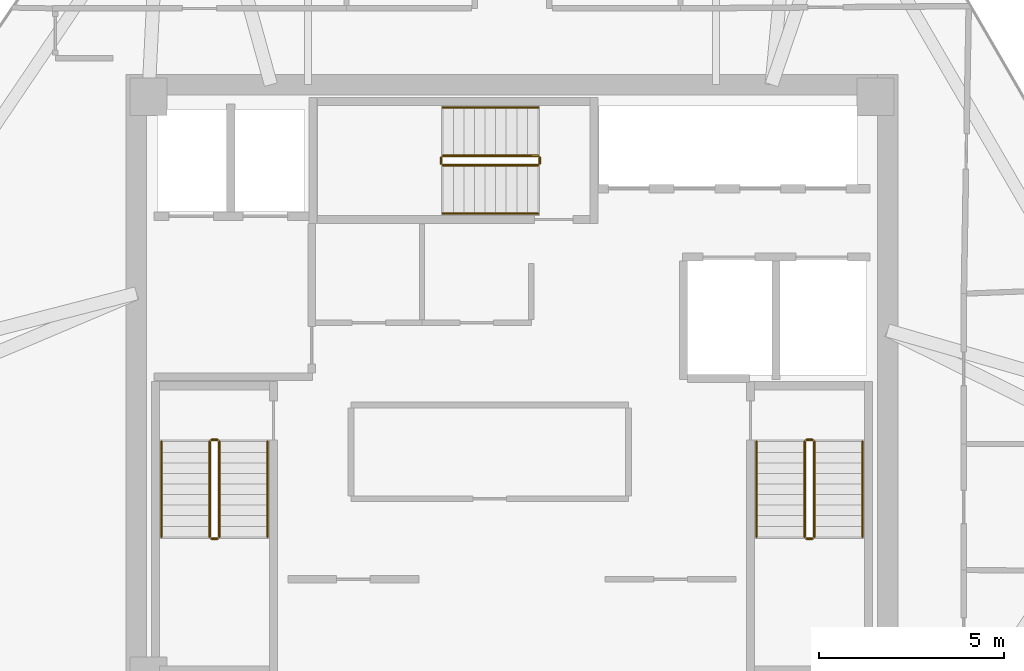
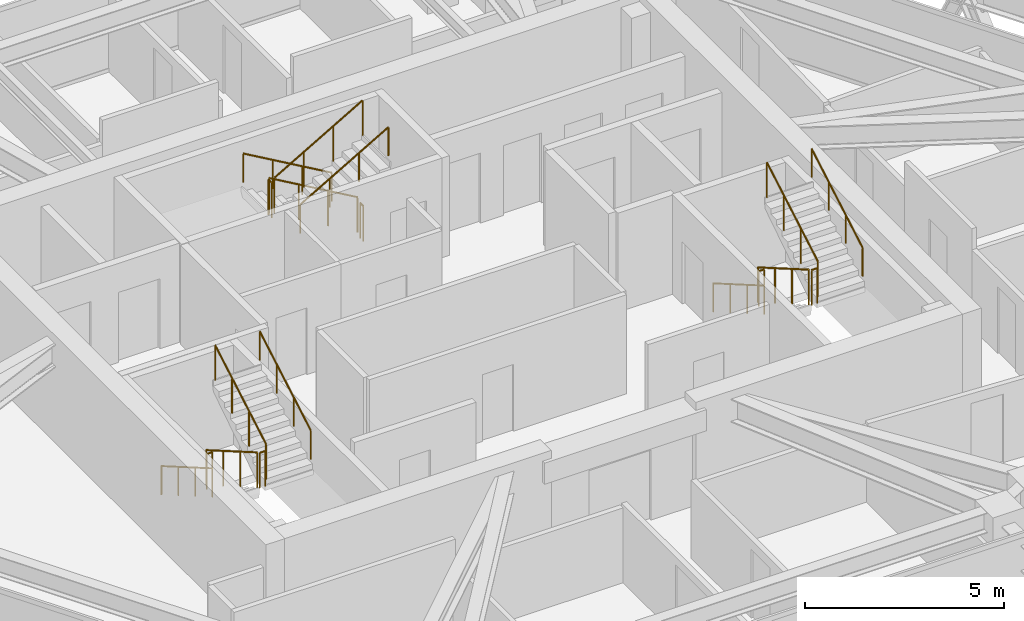
# One storey, part 13 of 13: 18 railings.
"""IFC4 building model written with IfcOpenShell, lengths in metres."""

from ifc_helpers import new_model, si_unit, direction, frame, origin, origin_2d, place, context, subcontext, project, spatial, circle, extrude, material, type_object, element, save


model = new_model("IFC4")

# Units and contexts
model_context = context("Model", 3, precision=1e-05, world=origin(), true_north=direction((0.0, 1.0)))
body_context = subcontext(model_context, "Body", "Model", "MODEL_VIEW")
ifc_project = project(units=[si_unit("LENGTHUNIT", "METRE"), si_unit("AREAUNIT", "SQUARE_METRE"), si_unit("VOLUMEUNIT", "CUBIC_METRE"), si_unit("PLANEANGLEUNIT", "RADIAN"), si_unit("MASSUNIT", "GRAM", prefix="KILO")], contexts=[model_context])

# Site, building, storey
site_placement = place(None, origin())
site = spatial("IfcSite", under=ifc_project, at=site_placement, CompositionType="ELEMENT")
building_placement = place(site_placement, origin())
building = spatial("IfcBuilding", under=site, at=building_placement, Name="Durnholm Broadcast Tower", CompositionType="ELEMENT")
storey_placement = place(building_placement, frame((0.0, 0.0, 241.39990234375)))
storey = spatial("IfcBuildingStorey", under=building, at=storey_placement, Name="L67", CompositionType="ELEMENT", Elevation=241.39990234375)

# Railings
ifc_material_1 = material(Name="Painted Tubular Steel Stair Guardrail", Category="steel")
railing_type_1 = type_object("IfcRailingType", Name="RAIL-ST-GRD", PredefinedType="GUARDRAIL", material=ifc_material_1)
railing_1_placement = place(storey_placement, frame((-8.14990234375, -1.5, 0.1650390625)))
element("IfcRailing", 1, at=railing_1_placement, inside=storey, type_object=railing_type_1, Name="L67 ST-1 stair guard 1", PredefinedType="GUARDRAIL", context=body_context, shape_type="SweptSolid", body=[
    extrude(circle(Radius=0.02392578125, at=origin_2d()), frame((0.0, 0.0, 1.076171875), z_axis=(0.0, -0.865405606168, 0.501071987656), x_axis=(1.0, 0.0, 0.0)), (0.0, 0.0, 1.0), 2.9638671875),
    extrude(circle(Radius=0.02099609375, at=origin_2d()), origin(), (0.0, 0.0, 1.0), 1.052001953125),
    extrude(circle(Radius=0.02099609375, at=origin_2d()), frame((0.0, -0.85498046875, 0.4951171875)), (0.0, 0.0, 1.0), 1.052001953125),
    extrude(circle(Radius=0.02099609375, at=origin_2d()), frame((0.0, -1.7099609375, 0.989990234375)), (0.0, 0.0, 1.0), 1.052001953125),
    extrude(circle(Radius=0.02099609375, at=origin_2d()), frame((0.0, -2.56494140625, 1.485107421875)), (0.0, 0.0, 1.0), 1.052001953125),
])
railing_2_placement = place(storey_placement, frame((-8.10009765625, -4.114990234375, 1.650146484375)))
element("IfcRailing", 2, at=railing_2_placement, inside=storey, type_object=railing_type_1, Name="L67 ST-1 stair guard 2", PredefinedType="GUARDRAIL", context=body_context, shape_type="SweptSolid", body=[
    extrude(circle(Radius=0.02392578125, at=origin_2d()), frame((0.0, 0.0, 1.076171875), z_axis=(1.0, 0.0, 0.0), x_axis=(0.0, 1.0, 0.0)), (0.0, 0.0, 1.0), 0.16015625),
    extrude(circle(Radius=0.02099609375, at=origin_2d()), origin(), (0.0, 0.0, 1.0), 1.052001953125),
    extrude(circle(Radius=0.02099609375, at=origin_2d()), frame((0.16015625, 0.0, 0.0)), (0.0, 0.0, 1.0), 1.052001953125),
])
railing_3_placement = place(storey_placement, frame((-7.889892578125, -4.06494140625, 1.815185546875)))
element("IfcRailing", 3, at=railing_3_placement, inside=storey, type_object=railing_type_1, Name="L67 ST-1 stair guard 3", PredefinedType="GUARDRAIL", context=body_context, shape_type="SweptSolid", body=[
    extrude(circle(Radius=0.02392578125, at=origin_2d()), frame((0.0, 0.0, 1.076171875), z_axis=(0.0, 0.865441324677, 0.50101029285), x_axis=(-1.0, 0.0, 0.0)), (0.0, 0.0, 1.0), 2.963623046875),
    extrude(circle(Radius=0.02099609375, at=origin_2d()), origin(), (0.0, 0.0, 1.0), 1.052001953125),
    extrude(circle(Radius=0.02099609375, at=origin_2d()), frame((0.0, 0.85498046875, 0.494873046875)), (0.0, 0.0, 1.0), 1.052001953125),
    extrude(circle(Radius=0.02099609375, at=origin_2d()), frame((0.0, 1.7099609375, 0.989990234375)), (0.0, 0.0, 1.0), 1.052001953125),
    extrude(circle(Radius=0.02099609375, at=origin_2d()), frame((0.0, 2.56494140625, 1.48486328125)), (0.0, 0.0, 1.0), 1.052001953125),
])
railing_4_placement = place(storey_placement, frame((-8.10009765625, -1.449951171875, 0.0)))
element("IfcRailing", 4, at=railing_4_placement, inside=storey, type_object=railing_type_1, Name="L67 ST-1 stair guard 4", PredefinedType="GUARDRAIL", context=body_context, shape_type="SweptSolid", body=[
    extrude(circle(Radius=0.02392578125, at=origin_2d()), frame((0.0, 0.0, 1.076171875), z_axis=(1.0, 0.0, 0.0), x_axis=(0.0, 1.0, 0.0)), (0.0, 0.0, 1.0), 0.16015625),
    extrude(circle(Radius=0.02099609375, at=origin_2d()), origin(), (0.0, 0.0, 1.0), 1.052001953125),
    extrude(circle(Radius=0.02099609375, at=origin_2d()), frame((0.16015625, 0.0, 0.0)), (0.0, 0.0, 1.0), 1.052001953125),
])
railing_5_placement = place(storey_placement, frame((7.889892578125, -1.5, 0.1650390625)))
element("IfcRailing", 5, at=railing_5_placement, inside=storey, type_object=railing_type_1, Name="L67 ST-2 stair guard 1", PredefinedType="GUARDRAIL", context=body_context, shape_type="SweptSolid", body=[
    extrude(circle(Radius=0.02392578125, at=origin_2d()), frame((0.0, 0.0, 1.076171875), z_axis=(0.0, -0.865405606168, 0.501071987656), x_axis=(1.0, 0.0, 0.0)), (0.0, 0.0, 1.0), 2.9638671875),
    extrude(circle(Radius=0.02099609375, at=origin_2d()), origin(), (0.0, 0.0, 1.0), 1.052001953125),
    extrude(circle(Radius=0.02099609375, at=origin_2d()), frame((0.0, -0.85498046875, 0.4951171875)), (0.0, 0.0, 1.0), 1.052001953125),
    extrude(circle(Radius=0.02099609375, at=origin_2d()), frame((0.0, -1.7099609375, 0.989990234375)), (0.0, 0.0, 1.0), 1.052001953125),
    extrude(circle(Radius=0.02099609375, at=origin_2d()), frame((0.0, -2.56494140625, 1.485107421875)), (0.0, 0.0, 1.0), 1.052001953125),
])
railing_6_placement = place(storey_placement, frame((7.93994140625, -4.114990234375, 1.650146484375)))
element("IfcRailing", 6, at=railing_6_placement, inside=storey, type_object=railing_type_1, Name="L67 ST-2 stair guard 2", PredefinedType="GUARDRAIL", context=body_context, shape_type="SweptSolid", body=[
    extrude(circle(Radius=0.02392578125, at=origin_2d()), frame((0.0, 0.0, 1.076171875), z_axis=(1.0, 0.0, 0.0), x_axis=(0.0, 1.0, 0.0)), (0.0, 0.0, 1.0), 0.16015625),
    extrude(circle(Radius=0.02099609375, at=origin_2d()), origin(), (0.0, 0.0, 1.0), 1.052001953125),
    extrude(circle(Radius=0.02099609375, at=origin_2d()), frame((0.16015625, 0.0, 0.0)), (0.0, 0.0, 1.0), 1.052001953125),
])
railing_7_placement = place(storey_placement, frame((8.14990234375, -4.06494140625, 1.815185546875)))
element("IfcRailing", 7, at=railing_7_placement, inside=storey, type_object=railing_type_1, Name="L67 ST-2 stair guard 3", PredefinedType="GUARDRAIL", context=body_context, shape_type="SweptSolid", body=[
    extrude(circle(Radius=0.02392578125, at=origin_2d()), frame((0.0, 0.0, 1.076171875), z_axis=(0.0, 0.865441324677, 0.50101029285), x_axis=(-1.0, 0.0, 0.0)), (0.0, 0.0, 1.0), 2.963623046875),
    extrude(circle(Radius=0.02099609375, at=origin_2d()), origin(), (0.0, 0.0, 1.0), 1.052001953125),
    extrude(circle(Radius=0.02099609375, at=origin_2d()), frame((0.0, 0.85498046875, 0.494873046875)), (0.0, 0.0, 1.0), 1.052001953125),
    extrude(circle(Radius=0.02099609375, at=origin_2d()), frame((0.0, 1.7099609375, 0.989990234375)), (0.0, 0.0, 1.0), 1.052001953125),
    extrude(circle(Radius=0.02099609375, at=origin_2d()), frame((0.0, 2.56494140625, 1.48486328125)), (0.0, 0.0, 1.0), 1.052001953125),
])
railing_8_placement = place(storey_placement, frame((7.93994140625, -1.449951171875, 0.0)))
element("IfcRailing", 8, at=railing_8_placement, inside=storey, type_object=railing_type_1, Name="L67 ST-2 stair guard 4", PredefinedType="GUARDRAIL", context=body_context, shape_type="SweptSolid", body=[
    extrude(circle(Radius=0.02392578125, at=origin_2d()), frame((0.0, 0.0, 1.076171875), z_axis=(1.0, 0.0, 0.0), x_axis=(0.0, 1.0, 0.0)), (0.0, 0.0, 1.0), 0.16015625),
    extrude(circle(Radius=0.02099609375, at=origin_2d()), origin(), (0.0, 0.0, 1.0), 1.052001953125),
    extrude(circle(Radius=0.02099609375, at=origin_2d()), frame((0.16015625, 0.0, 0.0)), (0.0, 0.0, 1.0), 1.052001953125),
])
railing_9_placement = place(storey_placement, frame((0.699951171875, 6.2099609375, 0.1650390625)))
element("IfcRailing", 9, at=railing_9_placement, inside=storey, type_object=railing_type_1, Name="L67 ST-3 stair guard 1", PredefinedType="GUARDRAIL", context=body_context, shape_type="SweptSolid", body=[
    extrude(circle(Radius=0.02392578125, at=origin_2d()), frame((0.0, 0.0, 1.076171875), z_axis=(-0.865405606168, 0.0, 0.501071987656), x_axis=(0.0, -1.0, 0.0)), (0.0, 0.0, 1.0), 2.9638671875),
    extrude(circle(Radius=0.02099609375, at=origin_2d()), origin(), (0.0, 0.0, 1.0), 1.052001953125),
    extrude(circle(Radius=0.02099609375, at=origin_2d()), frame((-0.85498046875, 0.0, 0.4951171875)), (0.0, 0.0, 1.0), 1.052001953125),
    extrude(circle(Radius=0.02099609375, at=origin_2d()), frame((-1.7099609375, 0.0, 0.989990234375)), (0.0, 0.0, 1.0), 1.052001953125),
    extrude(circle(Radius=0.02099609375, at=origin_2d()), frame((-2.56494140625, 0.0, 1.485107421875)), (0.0, 0.0, 1.0), 1.052001953125),
])
railing_10_placement = place(storey_placement, frame((-1.9150390625, 6.159912109375, 1.650146484375)))
element("IfcRailing", 10, at=railing_10_placement, inside=storey, type_object=railing_type_1, Name="L67 ST-3 stair guard 2", PredefinedType="GUARDRAIL", context=body_context, shape_type="SweptSolid", body=[
    extrude(circle(Radius=0.02392578125, at=origin_2d()), frame((0.0, 0.0, 1.076171875), z_axis=(0.0, -1.0, 0.0), x_axis=(1.0, 0.0, 0.0)), (0.0, 0.0, 1.0), 0.159912109375),
    extrude(circle(Radius=0.02099609375, at=origin_2d()), origin(), (0.0, 0.0, 1.0), 1.052001953125),
    extrude(circle(Radius=0.02099609375, at=origin_2d()), frame((0.0, -0.159912109375, 0.0)), (0.0, 0.0, 1.0), 1.052001953125),
])
railing_11_placement = place(storey_placement, frame((-1.864990234375, 5.949951171875, 1.815185546875)))
element("IfcRailing", 11, at=railing_11_placement, inside=storey, type_object=railing_type_1, Name="L67 ST-3 stair guard 3", PredefinedType="GUARDRAIL", context=body_context, shape_type="SweptSolid", body=[
    extrude(circle(Radius=0.02392578125, at=origin_2d()), frame((0.0, 0.0, 1.076171875), z_axis=(0.865441324677, 0.0, 0.50101029285), x_axis=(0.0, 1.0, 0.0)), (0.0, 0.0, 1.0), 2.963623046875),
    extrude(circle(Radius=0.02099609375, at=origin_2d()), origin(), (0.0, 0.0, 1.0), 1.052001953125),
    extrude(circle(Radius=0.02099609375, at=origin_2d()), frame((0.85498046875, 0.0, 0.494873046875)), (0.0, 0.0, 1.0), 1.052001953125),
    extrude(circle(Radius=0.02099609375, at=origin_2d()), frame((1.7099609375, 0.0, 0.989990234375)), (0.0, 0.0, 1.0), 1.052001953125),
    extrude(circle(Radius=0.02099609375, at=origin_2d()), frame((2.56494140625, 0.0, 1.48486328125)), (0.0, 0.0, 1.0), 1.052001953125),
])
railing_12_placement = place(storey_placement, frame((0.75, 6.159912109375, 0.0)))
element("IfcRailing", 12, at=railing_12_placement, inside=storey, type_object=railing_type_1, Name="L67 ST-3 stair guard 4", PredefinedType="GUARDRAIL", context=body_context, shape_type="SweptSolid", body=[
    extrude(circle(Radius=0.02392578125, at=origin_2d()), frame((0.0, 0.0, 1.076171875), z_axis=(0.0, -1.0, 0.0), x_axis=(1.0, 0.0, 0.0)), (0.0, 0.0, 1.0), 0.159912109375),
    extrude(circle(Radius=0.02099609375, at=origin_2d()), origin(), (0.0, 0.0, 1.0), 1.052001953125),
    extrude(circle(Radius=0.02099609375, at=origin_2d()), frame((0.0, -0.159912109375, 0.0)), (0.0, 0.0, 1.0), 1.052001953125),
])
ifc_material_2 = material(Name="Brushed Stainless Steel Handrail", Category="steel")
railing_type_2 = type_object("IfcRailingType", Name="RAIL-ST-HND", PredefinedType="HANDRAIL", material=ifc_material_2)
railing_13_placement = place(storey_placement, frame((-9.449951171875, -1.5, 0.330078125)))
element("IfcRailing", 13, at=railing_13_placement, inside=storey, type_object=railing_type_2, Name="L67 ST-1 stair handrail 1", PredefinedType="HANDRAIL", context=body_context, shape_type="SweptSolid", body=[
    extrude(circle(Radius=0.02392578125, at=origin_2d()), frame((0.0, 0.0, 0.8759765625), z_axis=(0.0, -0.865405606168, 0.501071987656), x_axis=(1.0, 0.0, 0.0)), (0.0, 0.0, 1.0), 2.9638671875),
    extrude(circle(Radius=0.02099609375, at=origin_2d()), origin(), (0.0, 0.0, 1.0), 0.851806640625),
    extrude(circle(Radius=0.02099609375, at=origin_2d()), frame((0.0, -0.85498046875, 0.4951171875)), (0.0, 0.0, 1.0), 0.851806640625),
    extrude(circle(Radius=0.02099609375, at=origin_2d()), frame((0.0, -1.7099609375, 0.989990234375)), (0.0, 0.0, 1.0), 0.851806640625),
    extrude(circle(Radius=0.02099609375, at=origin_2d()), frame((0.0, -2.56494140625, 1.485107421875)), (0.0, 0.0, 1.0), 0.851806640625),
])
railing_14_placement = place(storey_placement, frame((-6.590087890625, -4.06494140625, 1.97998046875)))
element("IfcRailing", 14, at=railing_14_placement, inside=storey, type_object=railing_type_2, Name="L67 ST-1 stair handrail 2", PredefinedType="HANDRAIL", context=body_context, shape_type="SweptSolid", body=[
    extrude(circle(Radius=0.02392578125, at=origin_2d()), frame((0.0, 0.0, 0.8759765625), z_axis=(0.0, 0.865405606168, 0.501071987656), x_axis=(-1.0, 0.0, 0.0)), (0.0, 0.0, 1.0), 2.9638671875),
    extrude(circle(Radius=0.02099609375, at=origin_2d()), origin(), (0.0, 0.0, 1.0), 0.851806640625),
    extrude(circle(Radius=0.02099609375, at=origin_2d()), frame((0.0, 0.85498046875, 0.4951171875)), (0.0, 0.0, 1.0), 0.851806640625),
    extrude(circle(Radius=0.02099609375, at=origin_2d()), frame((0.0, 1.7099609375, 0.989990234375)), (0.0, 0.0, 1.0), 0.851806640625),
    extrude(circle(Radius=0.02099609375, at=origin_2d()), frame((0.0, 2.56494140625, 1.485107421875)), (0.0, 0.0, 1.0), 0.851806640625),
])
railing_15_placement = place(storey_placement, frame((6.590087890625, -1.5, 0.330078125)))
element("IfcRailing", 15, at=railing_15_placement, inside=storey, type_object=railing_type_2, Name="L67 ST-2 stair handrail 1", PredefinedType="HANDRAIL", context=body_context, shape_type="SweptSolid", body=[
    extrude(circle(Radius=0.02392578125, at=origin_2d()), frame((0.0, 0.0, 0.8759765625), z_axis=(0.0, -0.865405606168, 0.501071987656), x_axis=(1.0, 0.0, 0.0)), (0.0, 0.0, 1.0), 2.9638671875),
    extrude(circle(Radius=0.02099609375, at=origin_2d()), origin(), (0.0, 0.0, 1.0), 0.851806640625),
    extrude(circle(Radius=0.02099609375, at=origin_2d()), frame((0.0, -0.85498046875, 0.4951171875)), (0.0, 0.0, 1.0), 0.851806640625),
    extrude(circle(Radius=0.02099609375, at=origin_2d()), frame((0.0, -1.7099609375, 0.989990234375)), (0.0, 0.0, 1.0), 0.851806640625),
    extrude(circle(Radius=0.02099609375, at=origin_2d()), frame((0.0, -2.56494140625, 1.485107421875)), (0.0, 0.0, 1.0), 0.851806640625),
])
railing_16_placement = place(storey_placement, frame((9.449951171875, -4.06494140625, 1.97998046875)))
element("IfcRailing", 16, at=railing_16_placement, inside=storey, type_object=railing_type_2, Name="L67 ST-2 stair handrail 2", PredefinedType="HANDRAIL", context=body_context, shape_type="SweptSolid", body=[
    extrude(circle(Radius=0.02392578125, at=origin_2d()), frame((0.0, 0.0, 0.8759765625), z_axis=(0.0, 0.865405606168, 0.501071987656), x_axis=(-1.0, 0.0, 0.0)), (0.0, 0.0, 1.0), 2.9638671875),
    extrude(circle(Radius=0.02099609375, at=origin_2d()), origin(), (0.0, 0.0, 1.0), 0.851806640625),
    extrude(circle(Radius=0.02099609375, at=origin_2d()), frame((0.0, 0.85498046875, 0.4951171875)), (0.0, 0.0, 1.0), 0.851806640625),
    extrude(circle(Radius=0.02099609375, at=origin_2d()), frame((0.0, 1.7099609375, 0.989990234375)), (0.0, 0.0, 1.0), 0.851806640625),
    extrude(circle(Radius=0.02099609375, at=origin_2d()), frame((0.0, 2.56494140625, 1.485107421875)), (0.0, 0.0, 1.0), 0.851806640625),
])
railing_17_placement = place(storey_placement, frame((0.699951171875, 7.510009765625, 0.330078125)))
element("IfcRailing", 17, at=railing_17_placement, inside=storey, type_object=railing_type_2, Name="L67 ST-3 stair handrail 1", PredefinedType="HANDRAIL", context=body_context, shape_type="SweptSolid", body=[
    extrude(circle(Radius=0.02392578125, at=origin_2d()), frame((0.0, 0.0, 0.8759765625), z_axis=(-0.865405606168, 0.0, 0.501071987656), x_axis=(0.0, -1.0, 0.0)), (0.0, 0.0, 1.0), 2.9638671875),
    extrude(circle(Radius=0.02099609375, at=origin_2d()), origin(), (0.0, 0.0, 1.0), 0.851806640625),
    extrude(circle(Radius=0.02099609375, at=origin_2d()), frame((-0.85498046875, 0.0, 0.4951171875)), (0.0, 0.0, 1.0), 0.851806640625),
    extrude(circle(Radius=0.02099609375, at=origin_2d()), frame((-1.7099609375, 0.0, 0.989990234375)), (0.0, 0.0, 1.0), 0.851806640625),
    extrude(circle(Radius=0.02099609375, at=origin_2d()), frame((-2.56494140625, 0.0, 1.485107421875)), (0.0, 0.0, 1.0), 0.851806640625),
])
railing_18_placement = place(storey_placement, frame((-1.864990234375, 4.64990234375, 1.97998046875)))
element("IfcRailing", 18, at=railing_18_placement, inside=storey, type_object=railing_type_2, Name="L67 ST-3 stair handrail 2", PredefinedType="HANDRAIL", context=body_context, shape_type="SweptSolid", body=[
    extrude(circle(Radius=0.02392578125, at=origin_2d()), frame((0.0, 0.0, 0.8759765625), z_axis=(0.865405606168, 0.0, 0.501071987656), x_axis=(0.0, 1.0, 0.0)), (0.0, 0.0, 1.0), 2.9638671875),
    extrude(circle(Radius=0.02099609375, at=origin_2d()), origin(), (0.0, 0.0, 1.0), 0.851806640625),
    extrude(circle(Radius=0.02099609375, at=origin_2d()), frame((0.85498046875, 0.0, 0.4951171875)), (0.0, 0.0, 1.0), 0.851806640625),
    extrude(circle(Radius=0.02099609375, at=origin_2d()), frame((1.7099609375, 0.0, 0.989990234375)), (0.0, 0.0, 1.0), 0.851806640625),
    extrude(circle(Radius=0.02099609375, at=origin_2d()), frame((2.56494140625, 0.0, 1.485107421875)), (0.0, 0.0, 1.0), 0.851806640625),
])

save(model, "model.ifc")
